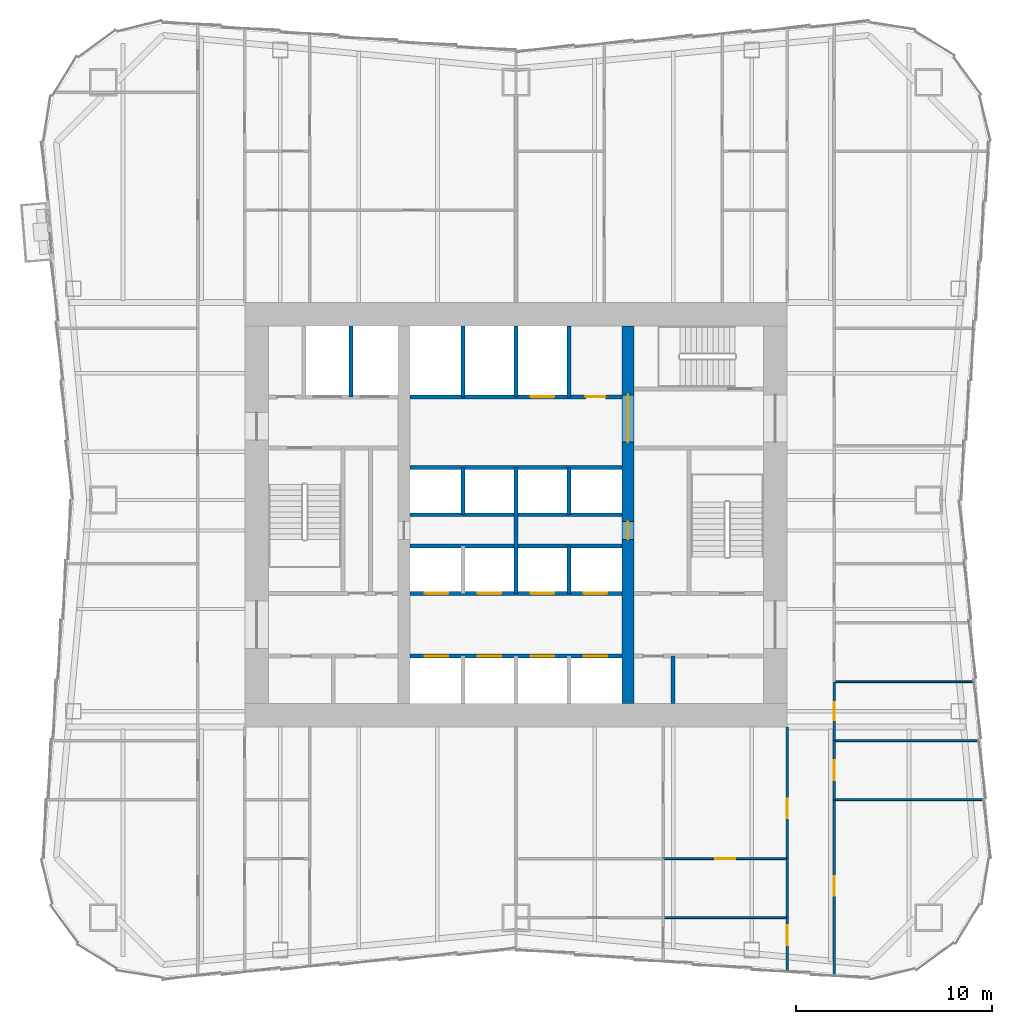
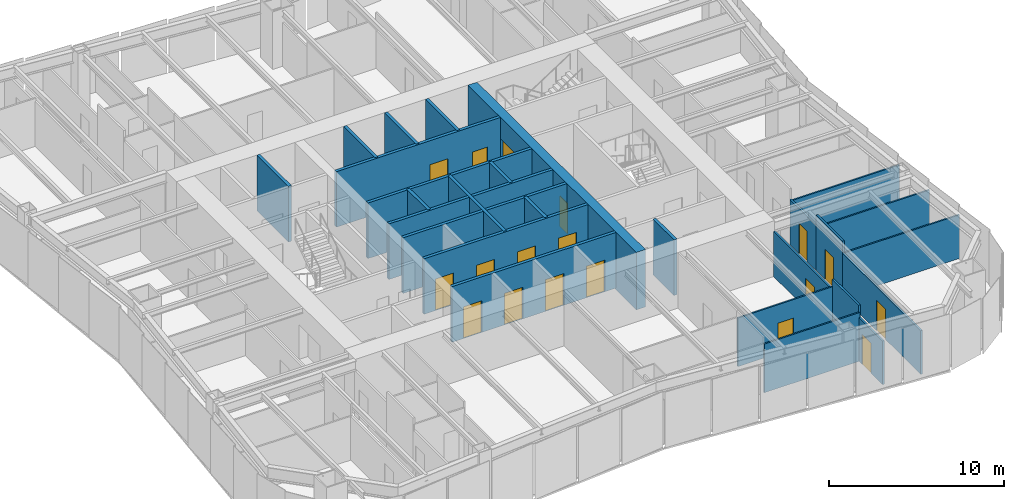
# One storey, part 5 of 9: 27 walls, 18 doors, 18 openings.
"""IFC4 building model written with IfcOpenShell, lengths in metres."""

from ifc_helpers import new_model, si_unit, direction, frame, frame_2d, origin, place, context, subcontext, project, spatial, rectangle, extrude, material, layer, layer_set, type_object, element, fill, save


model = new_model("IFC4")

# Units and contexts
model_context = context("Model", 3, precision=1e-05, world=origin(), true_north=direction((0.0, 1.0)))
body_context = subcontext(model_context, "Body", "Model", "MODEL_VIEW")
ifc_project = project(units=[si_unit("LENGTHUNIT", "METRE"), si_unit("AREAUNIT", "SQUARE_METRE"), si_unit("VOLUMEUNIT", "CUBIC_METRE"), si_unit("PLANEANGLEUNIT", "RADIAN"), si_unit("MASSUNIT", "GRAM", prefix="KILO")], contexts=[model_context])

# Site, building, storey
site_placement = place(None, origin())
site = spatial("IfcSite", under=ifc_project, at=site_placement, CompositionType="ELEMENT")
building_placement = place(site_placement, origin())
building = spatial("IfcBuilding", under=site, at=building_placement, Name="Verdant Reach Tower", CompositionType="ELEMENT")
storey_placement = place(building_placement, frame((0.0, 0.0, 90.0)))
storey = spatial("IfcBuildingStorey", under=building, at=storey_placement, Name="L20", CompositionType="ELEMENT", Elevation=90.0)

# Wall
ifc_material_1 = material(Name="Gypsum board on steel studs", Category="steel")
ifc_layer_1 = layer(ifc_material_1, 0.199951171875)
ifc_layer_set_1 = layer_set([ifc_layer_1], Name="CO-WALL-ROOM")
wall_type_1 = type_object("IfcWallType", Name="CO-WALL-ROOM", PredefinedType="PARTITIONING", material=ifc_layer_set_1)
wall_1_placement = place(storey_placement, frame((7.97998046875, 18.39990234375, 0.0), z_axis=(0.0, 0.0, 1.0), x_axis=(0.0, 1.0, 0.0)))
element("IfcWall", 1, at=wall_1_placement, inside=storey, type_object=wall_type_1, Name="Core partition, L20", PredefinedType="PARTITIONING", context=body_context, shape_type="SweptSolid", body=[
    extrude(rectangle(XDim=2.400146484375, YDim=0.199951171875, at=frame_2d((1.2001953125, 0.0))), origin(), (0.0, 0.0, 1.0), 3.8701171875),
])

# Wall, openings, doors
ifc_material_2 = material(Name="Concrete C40/50", Category="concrete")
ifc_layer_2 = layer(ifc_material_2, 0.199951171875)
ifc_layer_set_2 = layer_set([ifc_layer_2], Name="CO-WALL-SHAFT")
wall_type_2 = type_object("IfcWallType", Name="CO-WALL-SHAFT", PredefinedType="PARTITIONING", material=ifc_layer_set_2)
wall_2_placement = place(storey_placement, frame((-5.39990234375, 20.800048828125, 0.0), z_axis=(0.0, 0.0, 1.0), x_axis=(1.0, 0.0, 0.0)))
wall_2 = element("IfcWall", 2, at=wall_2_placement, inside=storey, type_object=wall_type_2, Name="Lift shaft wall, L20", PredefinedType="PARTITIONING", context=body_context, shape_type="SweptSolid", body=[
    extrude(rectangle(XDim=10.7998046875, YDim=0.199951171875, at=frame_2d((5.39990234375, 0.0))), origin(), (0.0, 0.0, 1.0), 3.8701171875),
])
opening_1_placement = place(wall_2_placement, frame((0.75, 0.0, 0.0)))
opening_1 = element("IfcOpeningElement", 3, at=opening_1_placement, cuts=wall_2, Name="Opening LD-A1", PredefinedType="OPENING", context=body_context, shape_type="SweptSolid", body=[
    extrude(rectangle(XDim=1.199951171875, YDim=2.199951171875, at=frame_2d((0.60009765625, 1.10009765625))), frame((0.0, 0.10986328125, 0.0), z_axis=(0.0, -1.0, 0.0), x_axis=(1.0, 0.0, 0.0)), (0.0, 0.0, 1.0), 0.219970703125),
])
opening_2_placement = place(wall_2_placement, frame((3.449951171875, 0.0, 0.0)))
opening_2 = element("IfcOpeningElement", 4, at=opening_2_placement, cuts=wall_2, Name="Opening LD-A2", PredefinedType="OPENING", context=body_context, shape_type="SweptSolid", body=[
    extrude(rectangle(XDim=1.199951171875, YDim=2.199951171875, at=frame_2d((0.60009765625, 1.10009765625))), frame((0.0, 0.10986328125, 0.0), z_axis=(0.0, -1.0, 0.0), x_axis=(1.0, 0.0, 0.0)), (0.0, 0.0, 1.0), 0.219970703125),
])
opening_3_placement = place(wall_2_placement, frame((6.14990234375, 0.0, 0.0)))
opening_3 = element("IfcOpeningElement", 5, at=opening_3_placement, cuts=wall_2, Name="Opening LD-A3", PredefinedType="OPENING", context=body_context, shape_type="SweptSolid", body=[
    extrude(rectangle(XDim=1.199951171875, YDim=2.199951171875, at=frame_2d((0.60009765625, 1.10009765625))), frame((0.0, 0.10986328125, 0.0), z_axis=(0.0, -1.0, 0.0), x_axis=(1.0, 0.0, 0.0)), (0.0, 0.0, 1.0), 0.219970703125),
])
opening_4_placement = place(wall_2_placement, frame((8.85009765625, 0.0, 0.0)))
opening_4 = element("IfcOpeningElement", 6, at=opening_4_placement, cuts=wall_2, Name="Opening LD-A4", PredefinedType="OPENING", context=body_context, shape_type="SweptSolid", body=[
    extrude(rectangle(XDim=1.199951171875, YDim=2.199951171875, at=frame_2d((0.60009765625, 1.10009765625))), frame((0.0, 0.10986328125, 0.0), z_axis=(0.0, -1.0, 0.0), x_axis=(1.0, 0.0, 0.0)), (0.0, 0.0, 1.0), 0.219970703125),
])
ifc_material_3 = material(Name="Stainless steel", Category="steel")
door_type_1 = type_object("IfcDoorType", Name="CO-DOOR-LANDING", OperationType="SLIDING_TO_LEFT", PredefinedType="DOOR", material=ifc_material_3)
door_1_placement = place(opening_1_placement, origin())
door_1 = element("IfcDoor", 7, at=door_1_placement, inside=storey, type_object=door_type_1, Name="Landing door A1, L20", OperationType="SLIDING_TO_LEFT", OverallHeight=2.199951171875, OverallWidth=1.199951171875, PredefinedType="DOOR", context=body_context, shape_type="SweptSolid", body=[
    extrude(rectangle(XDim=1.199951171875, YDim=2.199951171875, at=frame_2d((0.60009765625, 1.10009765625))), frame((0.0, 0.02490234375, 0.0), z_axis=(0.0, -1.0, 0.0), x_axis=(1.0, 0.0, 0.0)), (0.0, 0.0, 1.0), 0.050048828125),
])
fill(opening_1, door_1)
door_2_placement = place(opening_2_placement, origin())
door_2 = element("IfcDoor", 8, at=door_2_placement, inside=storey, type_object=door_type_1, Name="Landing door A2, L20", OperationType="SLIDING_TO_LEFT", OverallHeight=2.199951171875, OverallWidth=1.199951171875, PredefinedType="DOOR", context=body_context, shape_type="SweptSolid", body=[
    extrude(rectangle(XDim=1.199951171875, YDim=2.199951171875, at=frame_2d((0.60009765625, 1.10009765625))), frame((0.0, 0.02490234375, 0.0), z_axis=(0.0, -1.0, 0.0), x_axis=(1.0, 0.0, 0.0)), (0.0, 0.0, 1.0), 0.050048828125),
])
fill(opening_2, door_2)
door_3_placement = place(opening_3_placement, origin())
door_3 = element("IfcDoor", 9, at=door_3_placement, inside=storey, type_object=door_type_1, Name="Landing door A3, L20", OperationType="SLIDING_TO_LEFT", OverallHeight=2.199951171875, OverallWidth=1.199951171875, PredefinedType="DOOR", context=body_context, shape_type="SweptSolid", body=[
    extrude(rectangle(XDim=1.199951171875, YDim=2.199951171875, at=frame_2d((0.60009765625, 1.10009765625))), frame((0.0, 0.02490234375, 0.0), z_axis=(0.0, -1.0, 0.0), x_axis=(1.0, 0.0, 0.0)), (0.0, 0.0, 1.0), 0.050048828125),
])
fill(opening_3, door_3)
door_4_placement = place(opening_4_placement, origin())
door_4 = element("IfcDoor", 10, at=door_4_placement, inside=storey, type_object=door_type_1, Name="Landing door A4, L20", OperationType="SLIDING_TO_LEFT", OverallHeight=2.199951171875, OverallWidth=1.199951171875, PredefinedType="DOOR", context=body_context, shape_type="SweptSolid", body=[
    extrude(rectangle(XDim=1.199951171875, YDim=2.199951171875, at=frame_2d((0.60009765625, 1.10009765625))), frame((0.0, 0.02490234375, 0.0), z_axis=(0.0, -1.0, 0.0), x_axis=(1.0, 0.0, 0.0)), (0.0, 0.0, 1.0), 0.050048828125),
])
fill(opening_4, door_4)

wall_3_placement = place(storey_placement, frame((-5.39990234375, 24.0, 0.0), z_axis=(0.0, 0.0, 1.0), x_axis=(1.0, 0.0, 0.0)))
wall_3 = element("IfcWall", 11, at=wall_3_placement, inside=storey, type_object=wall_type_2, Name="Lift shaft wall, L20", PredefinedType="PARTITIONING", context=body_context, shape_type="SweptSolid", body=[
    extrude(rectangle(XDim=10.7998046875, YDim=0.199951171875, at=frame_2d((5.39990234375, 0.0))), origin(), (0.0, 0.0, 1.0), 3.8701171875),
])
opening_5_placement = place(wall_3_placement, frame((0.75, 0.0, 0.0)))
opening_5 = element("IfcOpeningElement", 12, at=opening_5_placement, cuts=wall_3, Name="Opening LD-A5", PredefinedType="OPENING", context=body_context, shape_type="SweptSolid", body=[
    extrude(rectangle(XDim=1.199951171875, YDim=2.199951171875, at=frame_2d((0.60009765625, 1.10009765625))), frame((0.0, 0.10986328125, 0.0), z_axis=(0.0, -1.0, 0.0), x_axis=(1.0, 0.0, 0.0)), (0.0, 0.0, 1.0), 0.219970703125),
])
opening_6_placement = place(wall_3_placement, frame((3.449951171875, 0.0, 0.0)))
opening_6 = element("IfcOpeningElement", 13, at=opening_6_placement, cuts=wall_3, Name="Opening LD-A6", PredefinedType="OPENING", context=body_context, shape_type="SweptSolid", body=[
    extrude(rectangle(XDim=1.199951171875, YDim=2.199951171875, at=frame_2d((0.60009765625, 1.10009765625))), frame((0.0, 0.10986328125, 0.0), z_axis=(0.0, -1.0, 0.0), x_axis=(1.0, 0.0, 0.0)), (0.0, 0.0, 1.0), 0.219970703125),
])
opening_7_placement = place(wall_3_placement, frame((6.14990234375, 0.0, 0.0)))
opening_7 = element("IfcOpeningElement", 14, at=opening_7_placement, cuts=wall_3, Name="Opening LD-A7", PredefinedType="OPENING", context=body_context, shape_type="SweptSolid", body=[
    extrude(rectangle(XDim=1.199951171875, YDim=2.199951171875, at=frame_2d((0.60009765625, 1.10009765625))), frame((0.0, 0.10986328125, 0.0), z_axis=(0.0, -1.0, 0.0), x_axis=(1.0, 0.0, 0.0)), (0.0, 0.0, 1.0), 0.219970703125),
])
opening_8_placement = place(wall_3_placement, frame((8.85009765625, 0.0, 0.0)))
opening_8 = element("IfcOpeningElement", 15, at=opening_8_placement, cuts=wall_3, Name="Opening LD-A8", PredefinedType="OPENING", context=body_context, shape_type="SweptSolid", body=[
    extrude(rectangle(XDim=1.199951171875, YDim=2.199951171875, at=frame_2d((0.60009765625, 1.10009765625))), frame((0.0, 0.10986328125, 0.0), z_axis=(0.0, -1.0, 0.0), x_axis=(1.0, 0.0, 0.0)), (0.0, 0.0, 1.0), 0.219970703125),
])
door_5_placement = place(opening_5_placement, origin())
door_5 = element("IfcDoor", 16, at=door_5_placement, inside=storey, type_object=door_type_1, Name="Landing door A5, L20", OperationType="SLIDING_TO_LEFT", OverallHeight=2.199951171875, OverallWidth=1.199951171875, PredefinedType="DOOR", context=body_context, shape_type="SweptSolid", body=[
    extrude(rectangle(XDim=1.199951171875, YDim=2.199951171875, at=frame_2d((0.60009765625, 1.10009765625))), frame((0.0, 0.02490234375, 0.0), z_axis=(0.0, -1.0, 0.0), x_axis=(1.0, 0.0, 0.0)), (0.0, 0.0, 1.0), 0.050048828125),
])
fill(opening_5, door_5)
door_6_placement = place(opening_6_placement, origin())
door_6 = element("IfcDoor", 17, at=door_6_placement, inside=storey, type_object=door_type_1, Name="Landing door A6, L20", OperationType="SLIDING_TO_LEFT", OverallHeight=2.199951171875, OverallWidth=1.199951171875, PredefinedType="DOOR", context=body_context, shape_type="SweptSolid", body=[
    extrude(rectangle(XDim=1.199951171875, YDim=2.199951171875, at=frame_2d((0.60009765625, 1.10009765625))), frame((0.0, 0.02490234375, 0.0), z_axis=(0.0, -1.0, 0.0), x_axis=(1.0, 0.0, 0.0)), (0.0, 0.0, 1.0), 0.050048828125),
])
fill(opening_6, door_6)
door_7_placement = place(opening_7_placement, origin())
door_7 = element("IfcDoor", 18, at=door_7_placement, inside=storey, type_object=door_type_1, Name="Landing door A7, L20", OperationType="SLIDING_TO_LEFT", OverallHeight=2.199951171875, OverallWidth=1.199951171875, PredefinedType="DOOR", context=body_context, shape_type="SweptSolid", body=[
    extrude(rectangle(XDim=1.199951171875, YDim=2.199951171875, at=frame_2d((0.60009765625, 1.10009765625))), frame((0.0, 0.02490234375, 0.0), z_axis=(0.0, -1.0, 0.0), x_axis=(1.0, 0.0, 0.0)), (0.0, 0.0, 1.0), 0.050048828125),
])
fill(opening_7, door_7)
door_8_placement = place(opening_8_placement, origin())
door_8 = element("IfcDoor", 19, at=door_8_placement, inside=storey, type_object=door_type_1, Name="Landing door A8, L20", OperationType="SLIDING_TO_LEFT", OverallHeight=2.199951171875, OverallWidth=1.199951171875, PredefinedType="DOOR", context=body_context, shape_type="SweptSolid", body=[
    extrude(rectangle(XDim=1.199951171875, YDim=2.199951171875, at=frame_2d((0.60009765625, 1.10009765625))), frame((0.0, 0.02490234375, 0.0), z_axis=(0.0, -1.0, 0.0), x_axis=(1.0, 0.0, 0.0)), (0.0, 0.0, 1.0), 0.050048828125),
])
fill(opening_8, door_8)

# Walls
for number, where, z_axis, x_axis, name in (
    (20, (-5.39990234375, 26.39990234375, 0.0), (0.0, 0.0, 1.0), (1.0, 0.0, 0.0), "Lift shaft wall, L20"),
    (21, (-5.39990234375, 28.0, 0.0), (0.0, 0.0, 1.0), (1.0, 0.0, 0.0), "Lift shaft wall, L20"),
    (22, (-5.39990234375, 30.39990234375, 0.0), (0.0, 0.0, 1.0), (1.0, 0.0, 0.0), "Lift shaft wall, L20"),
):
    element("IfcWall", number, at=place(storey_placement, frame(where, z_axis=z_axis, x_axis=x_axis)), inside=storey, type_object=wall_type_2, Name=name, PredefinedType="PARTITIONING", context=body_context, shape_type="SweptSolid", body=[
        extrude(rectangle(XDim=10.7998046875, YDim=0.199951171875, at=frame_2d((5.39990234375, 0.0))), origin(), (0.0, 0.0, 1.0), 3.8701171875),
    ])

# Wall, openings, doors
wall_4_placement = place(storey_placement, frame((-5.39990234375, 34.0, 0.0), z_axis=(0.0, 0.0, 1.0), x_axis=(1.0, 0.0, 0.0)))
wall_4 = element("IfcWall", 23, at=wall_4_placement, inside=storey, type_object=wall_type_2, Name="Lift shaft wall, L20", PredefinedType="PARTITIONING", context=body_context, shape_type="SweptSolid", body=[
    extrude(rectangle(XDim=10.7998046875, YDim=0.199951171875, at=frame_2d((5.39990234375, 0.0))), origin(), (0.0, 0.0, 1.0), 3.8701171875),
])
opening_9_placement = place(wall_4_placement, frame((6.14990234375, 0.0, 0.0)))
opening_9 = element("IfcOpeningElement", 24, at=opening_9_placement, cuts=wall_4, Name="Opening LD-SL1", PredefinedType="OPENING", context=body_context, shape_type="SweptSolid", body=[
    extrude(rectangle(XDim=1.199951171875, YDim=2.199951171875, at=frame_2d((0.60009765625, 1.10009765625))), frame((0.0, 0.10986328125, 0.0), z_axis=(0.0, -1.0, 0.0), x_axis=(1.0, 0.0, 0.0)), (0.0, 0.0, 1.0), 0.219970703125),
])
opening_10_placement = place(wall_4_placement, frame((8.949951171875, 0.0, 0.0)))
opening_10 = element("IfcOpeningElement", 25, at=opening_10_placement, cuts=wall_4, Name="Opening CD", PredefinedType="OPENING", context=body_context, shape_type="SweptSolid", body=[
    extrude(rectangle(XDim=1.0, YDim=2.10009765625, at=frame_2d((0.5, 1.050048828125))), frame((0.0, 0.10986328125, 0.0), z_axis=(0.0, -1.0, 0.0), x_axis=(1.0, 0.0, 0.0)), (0.0, 0.0, 1.0), 0.219970703125),
])
door_9_placement = place(opening_9_placement, origin())
door_9 = element("IfcDoor", 26, at=door_9_placement, inside=storey, type_object=door_type_1, Name="Landing door SL1, L20", OperationType="SLIDING_TO_LEFT", OverallHeight=2.199951171875, OverallWidth=1.199951171875, PredefinedType="DOOR", context=body_context, shape_type="SweptSolid", body=[
    extrude(rectangle(XDim=1.199951171875, YDim=2.199951171875, at=frame_2d((0.60009765625, 1.10009765625))), frame((0.0, 0.02490234375, 0.0), z_axis=(0.0, -1.0, 0.0), x_axis=(1.0, 0.0, 0.0)), (0.0, 0.0, 1.0), 0.050048828125),
])
fill(opening_9, door_9)
ifc_material_4 = material(Name="Timber", Category="wood")
door_type_2 = type_object("IfcDoorType", Name="CO-DOOR-ROOM", OperationType="NOTDEFINED", PredefinedType="DOOR", material=ifc_material_4)
door_10_placement = place(opening_10_placement, origin())
door_10 = element("IfcDoor", 27, at=door_10_placement, inside=storey, type_object=door_type_2, Name="Core room door, L20", OperationType="SINGLE_SWING_LEFT", OverallHeight=2.10009765625, OverallWidth=1.0, PredefinedType="DOOR", context=body_context, shape_type="SweptSolid", body=[
    extrude(rectangle(XDim=1.0, YDim=2.10009765625, at=frame_2d((0.5, 1.050048828125))), frame((0.0, 0.02490234375, 0.0), z_axis=(0.0, -1.0, 0.0), x_axis=(1.0, 0.0, 0.0)), (0.0, 0.0, 1.0), 0.050048828125),
])
fill(opening_10, door_10)

# Walls
wall_5_placement = place(storey_placement, frame((-8.39990234375, 34.0, 0.0), z_axis=(0.0, 0.0, 1.0), x_axis=(0.0, 1.0, 0.0)))
element("IfcWall", 28, at=wall_5_placement, inside=storey, type_object=wall_type_2, Name="Lift shaft wall, L20", PredefinedType="PARTITIONING", context=body_context, shape_type="SweptSolid", body=[
    extrude(rectangle(XDim=3.60009765625, YDim=0.199951171875, at=frame_2d((1.800048828125, 0.0))), origin(), (0.0, 0.0, 1.0), 3.8701171875),
])
wall_6_placement = place(storey_placement, frame((-2.699951171875, 28.0, 0.0), z_axis=(0.0, 0.0, 1.0), x_axis=(0.0, 1.0, 0.0)))
element("IfcWall", 29, at=wall_6_placement, inside=storey, type_object=wall_type_2, Name="Lift shaft wall, L20", PredefinedType="PARTITIONING", context=body_context, shape_type="SweptSolid", body=[
    extrude(rectangle(XDim=2.39990234375, YDim=0.199951171875, at=frame_2d((1.199951171875, 0.0))), origin(), (0.0, 0.0, 1.0), 3.8701171875),
])
wall_7_placement = place(storey_placement, frame((-2.699951171875, 34.0, 0.0), z_axis=(0.0, 0.0, 1.0), x_axis=(0.0, 1.0, 0.0)))
element("IfcWall", 30, at=wall_7_placement, inside=storey, type_object=wall_type_2, Name="Lift shaft wall, L20", PredefinedType="PARTITIONING", context=body_context, shape_type="SweptSolid", body=[
    extrude(rectangle(XDim=3.60009765625, YDim=0.199951171875, at=frame_2d((1.800048828125, 0.0))), origin(), (0.0, 0.0, 1.0), 3.8701171875),
])
wall_8_placement = place(storey_placement, frame((0.0, 24.0, 0.0), z_axis=(0.0, 0.0, 1.0), x_axis=(0.0, 1.0, 0.0)))
element("IfcWall", 31, at=wall_8_placement, inside=storey, type_object=wall_type_2, Name="Lift shaft wall, L20", PredefinedType="PARTITIONING", context=body_context, shape_type="SweptSolid", body=[
    extrude(rectangle(XDim=6.39990234375, YDim=0.199951171875, at=frame_2d((3.199951171875, 0.0))), origin(), (0.0, 0.0, 1.0), 3.8701171875),
])
wall_9_placement = place(storey_placement, frame((0.0, 34.0, 0.0), z_axis=(0.0, 0.0, 1.0), x_axis=(0.0, 1.0, 0.0)))
element("IfcWall", 32, at=wall_9_placement, inside=storey, type_object=wall_type_2, Name="Lift shaft wall, L20", PredefinedType="PARTITIONING", context=body_context, shape_type="SweptSolid", body=[
    extrude(rectangle(XDim=3.60009765625, YDim=0.199951171875, at=frame_2d((1.800048828125, 0.0))), origin(), (0.0, 0.0, 1.0), 3.8701171875),
])
for number, where, z_axis, x_axis, name in (
    (33, (2.699951171875, 24.0, 0.0), (0.0, 0.0, 1.0), (0.0, 1.0, 0.0), "Lift shaft wall, L20"),
    (34, (2.699951171875, 28.0, 0.0), (0.0, 0.0, 1.0), (0.0, 1.0, 0.0), "Lift shaft wall, L20"),
):
    element("IfcWall", number, at=place(storey_placement, frame(where, z_axis=z_axis, x_axis=x_axis)), inside=storey, type_object=wall_type_2, Name=name, PredefinedType="PARTITIONING", context=body_context, shape_type="SweptSolid", body=[
        extrude(rectangle(XDim=2.39990234375, YDim=0.199951171875, at=frame_2d((1.199951171875, 0.0))), origin(), (0.0, 0.0, 1.0), 3.8701171875),
    ])
wall_10_placement = place(storey_placement, frame((2.699951171875, 34.0, 0.0), z_axis=(0.0, 0.0, 1.0), x_axis=(0.0, 1.0, 0.0)))
element("IfcWall", 35, at=wall_10_placement, inside=storey, type_object=wall_type_2, Name="Lift shaft wall, L20", PredefinedType="PARTITIONING", context=body_context, shape_type="SweptSolid", body=[
    extrude(rectangle(XDim=3.60009765625, YDim=0.199951171875, at=frame_2d((1.800048828125, 0.0))), origin(), (0.0, 0.0, 1.0), 3.8701171875),
])
ifc_layer_3 = layer(ifc_material_1, 0.10009765625)
ifc_layer_set_3 = layer_set([ifc_layer_3], Name="FL-W1 Partition 100")
wall_type_3 = type_object("IfcWallType", Name="FL-W1 Partition 100", PredefinedType="PARTITIONING", material=ifc_layer_set_3)
wall_11_placement = place(storey_placement, frame((23.83349609375, 13.5, 0.0), z_axis=(0.0, 0.0, 1.0), x_axis=(-1.0, 0.0, 0.0)))
element("IfcWall", 36, at=wall_11_placement, inside=storey, type_object=wall_type_3, Name="Partition 20.33", PredefinedType="PARTITIONING", context=body_context, shape_type="SweptSolid", body=[
    extrude(rectangle(XDim=7.633544921875, YDim=0.10009765625, at=frame_2d((3.81689453125, 0.0))), origin(), (0.0, 0.0, 1.0), 3.0400390625),
])
wall_12_placement = place(storey_placement, frame((23.5869140625, 16.5, 0.0), z_axis=(0.0, 0.0, 1.0), x_axis=(-1.0, 0.0, 0.0)))
element("IfcWall", 37, at=wall_12_placement, inside=storey, type_object=wall_type_3, Name="Partition 20.34", PredefinedType="PARTITIONING", context=body_context, shape_type="SweptSolid", body=[
    extrude(rectangle(XDim=7.386962890625, YDim=0.10009765625, at=frame_2d((3.693359375, 0.0))), origin(), (0.0, 0.0, 1.0), 3.0400390625),
])
wall_13_placement = place(storey_placement, frame((23.34033203125, 19.5, 0.0), z_axis=(0.0, 0.0, 1.0), x_axis=(-1.0, 0.0, 0.0)))
element("IfcWall", 38, at=wall_13_placement, inside=storey, type_object=wall_type_3, Name="Partition 20.35", PredefinedType="PARTITIONING", context=body_context, shape_type="SweptSolid", body=[
    extrude(rectangle(XDim=7.140380859375, YDim=0.10009765625, at=frame_2d((3.5703125, 0.0))), origin(), (0.0, 0.0, 1.0), 3.0400390625),
])
wall_14_placement = place(storey_placement, frame((13.800048828125, 7.5, 0.0), z_axis=(0.0, 0.0, 1.0), x_axis=(-1.0, 0.0, 0.0)))
element("IfcWall", 39, at=wall_14_placement, inside=storey, type_object=wall_type_3, Name="Partition 20.49", PredefinedType="PARTITIONING", context=body_context, shape_type="SweptSolid", body=[
    extrude(rectangle(XDim=6.300048828125, YDim=0.10009765625, at=frame_2d((3.14990234375, 0.0))), origin(), (0.0, 0.0, 1.0), 3.389892578125),
])

# Wall, opening, door
wall_15_placement = place(storey_placement, frame((13.800048828125, 10.5, 0.0), z_axis=(0.0, 0.0, 1.0), x_axis=(-1.0, 0.0, 0.0)))
wall_15 = element("IfcWall", 40, at=wall_15_placement, inside=storey, type_object=wall_type_3, Name="Partition 20.51", PredefinedType="PARTITIONING", context=body_context, shape_type="SweptSolid", body=[
    extrude(rectangle(XDim=6.300048828125, YDim=0.10009765625, at=frame_2d((3.14990234375, 0.0))), origin(), (0.0, 0.0, 1.0), 3.389892578125),
])
opening_11_placement = place(wall_15_placement, frame((2.64990234375, 0.0, 0.0)))
opening_11 = element("IfcOpeningElement", 41, at=opening_11_placement, cuts=wall_15, Name="Opening D3", PredefinedType="OPENING", context=body_context, shape_type="SweptSolid", body=[
    extrude(rectangle(XDim=1.0, YDim=2.10009765625, at=frame_2d((0.5, 1.050048828125))), frame((0.0, 0.06005859375, 0.0), z_axis=(0.0, -1.0, 0.0), x_axis=(1.0, 0.0, 0.0)), (0.0, 0.0, 1.0), 0.1201171875),
])
ifc_material_5 = material(Name="Painted timber door leaf", Category="wood")
door_type_3 = type_object("IfcDoorType", Name="FL-D3 Door 1000x2100", OperationType="NOTDEFINED", PredefinedType="DOOR", material=ifc_material_5)
door_11_placement = place(opening_11_placement, origin())
door_11 = element("IfcDoor", 42, at=door_11_placement, inside=storey, type_object=door_type_3, Name="Door 20-026", OperationType="SINGLE_SWING_RIGHT", OverallHeight=2.10009765625, OverallWidth=1.0, PredefinedType="DOOR", context=body_context, shape_type="SweptSolid", body=[
    extrude(rectangle(XDim=1.0, YDim=2.10009765625, at=frame_2d((0.5, 1.050048828125))), frame((0.0, 0.02490234375, 0.0), z_axis=(0.0, -1.0, 0.0), x_axis=(1.0, 0.0, 0.0)), (0.0, 0.0, 1.0), 0.050048828125),
])
fill(opening_11, door_11)

ifc_material_6 = material(Name="Gypsum board on steel studs, fire rated", Category="steel")
ifc_layer_4 = layer(ifc_material_6, 0.125)
ifc_layer_set_4 = layer_set([ifc_layer_4], Name="FL-W2 Corridor wall 125")
wall_type_4 = type_object("IfcWallType", Name="FL-W2 Corridor wall 125", PredefinedType="PARTITIONING", material=ifc_layer_set_4)
wall_16_placement = place(storey_placement, frame((16.199951171875, 13.5, 0.0), z_axis=(0.0, 0.0, 1.0), x_axis=(0.0, -1.0, 0.0)))
wall_16 = element("IfcWall", 43, at=wall_16_placement, inside=storey, type_object=wall_type_4, Name="Partition 20.13", PredefinedType="PARTITIONING", context=body_context, shape_type="SweptSolid", body=[
    extrude(rectangle(XDim=8.929931640625, YDim=0.125, at=frame_2d((4.46484375, 0.0))), origin(), (0.0, 0.0, 1.0), 3.0400390625),
])
opening_12_placement = place(wall_16_placement, frame((3.89990234375, 0.0, 0.0)))
opening_12 = element("IfcOpeningElement", 44, at=opening_12_placement, cuts=wall_16, Name="Opening D2", PredefinedType="OPENING", context=body_context, shape_type="SweptSolid", body=[
    extrude(rectangle(XDim=1.0, YDim=2.10009765625, at=frame_2d((0.5, 1.050048828125))), frame((0.0, 0.072509765625, 0.0), z_axis=(0.0, -1.0, 0.0), x_axis=(1.0, 0.0, 0.0)), (0.0, 0.0, 1.0), 0.14501953125),
])
ifc_material_7 = material(Name="Timber door leaf, fire rated", Category="wood")
door_type_4 = type_object("IfcDoorType", Name="FL-D2 Entrance door 1000x2100 FD30", OperationType="NOTDEFINED", PredefinedType="DOOR", material=ifc_material_7)
door_12_placement = place(opening_12_placement, origin())
door_12 = element("IfcDoor", 45, at=door_12_placement, inside=storey, type_object=door_type_4, Name="Door 20-010", OperationType="SINGLE_SWING_LEFT", OverallHeight=2.10009765625, OverallWidth=1.0, PredefinedType="DOOR", context=body_context, shape_type="SweptSolid", body=[
    extrude(rectangle(XDim=1.0, YDim=2.10009765625, at=frame_2d((0.5, 1.050048828125))), frame((0.0, 0.02490234375, 0.0), z_axis=(0.0, -1.0, 0.0), x_axis=(1.0, 0.0, 0.0)), (0.0, 0.0, 1.0), 0.050048828125),
])
fill(opening_12, door_12)

wall_17_placement = place(storey_placement, frame((16.199951171875, 16.5, 0.0), z_axis=(0.0, 0.0, 1.0), x_axis=(0.0, -1.0, 0.0)))
wall_17 = element("IfcWall", 46, at=wall_17_placement, inside=storey, type_object=wall_type_4, Name="Partition 20.14", PredefinedType="PARTITIONING", context=body_context, shape_type="SweptSolid", body=[
    extrude(rectangle(XDim=3.0, YDim=0.125, at=frame_2d((1.5, 0.0))), origin(), (0.0, 0.0, 1.0), 3.8701171875),
])
opening_13_placement = place(wall_17_placement, frame((1.0, 0.0, 0.0)))
opening_13 = element("IfcOpeningElement", 47, at=opening_13_placement, cuts=wall_17, Name="Opening D2", PredefinedType="OPENING", context=body_context, shape_type="SweptSolid", body=[
    extrude(rectangle(XDim=1.0, YDim=2.10009765625, at=frame_2d((0.5, 1.050048828125))), frame((0.0, 0.072509765625, 0.0), z_axis=(0.0, -1.0, 0.0), x_axis=(1.0, 0.0, 0.0)), (0.0, 0.0, 1.0), 0.14501953125),
])
door_13_placement = place(opening_13_placement, origin())
door_13 = element("IfcDoor", 48, at=door_13_placement, inside=storey, type_object=door_type_4, Name="Door 20-011", OperationType="SINGLE_SWING_LEFT", OverallHeight=2.10009765625, OverallWidth=1.0, PredefinedType="DOOR", context=body_context, shape_type="SweptSolid", body=[
    extrude(rectangle(XDim=1.0, YDim=2.10009765625, at=frame_2d((0.5, 1.050048828125))), frame((0.0, 0.02490234375, 0.0), z_axis=(0.0, -1.0, 0.0), x_axis=(1.0, 0.0, 0.0)), (0.0, 0.0, 1.0), 0.050048828125),
])
fill(opening_13, door_13)

wall_18_placement = place(storey_placement, frame((16.199951171875, 19.5, 0.0), z_axis=(0.0, 0.0, 1.0), x_axis=(0.0, -1.0, 0.0)))
wall_18 = element("IfcWall", 49, at=wall_18_placement, inside=storey, type_object=wall_type_4, Name="Partition 20.15", PredefinedType="PARTITIONING", context=body_context, shape_type="SweptSolid", body=[
    extrude(rectangle(XDim=3.0, YDim=0.125, at=frame_2d((1.5, 0.0))), origin(), (0.0, 0.0, 1.0), 3.139892578125),
])
opening_14_placement = place(wall_18_placement, frame((1.050048828125, 0.0, 0.0)))
opening_14 = element("IfcOpeningElement", 50, at=opening_14_placement, cuts=wall_18, Name="Opening D1", PredefinedType="OPENING", context=body_context, shape_type="SweptSolid", body=[
    extrude(rectangle(XDim=0.89990234375, YDim=2.10009765625, at=frame_2d((0.449951171875, 1.050048828125))), frame((0.0, 0.072509765625, 0.0), z_axis=(0.0, -1.0, 0.0), x_axis=(1.0, 0.0, 0.0)), (0.0, 0.0, 1.0), 0.14501953125),
])
door_type_5 = type_object("IfcDoorType", Name="FL-D1 Door 900x2100", OperationType="NOTDEFINED", PredefinedType="DOOR", material=ifc_material_5)
door_14_placement = place(opening_14_placement, origin())
door_14 = element("IfcDoor", 51, at=door_14_placement, inside=storey, type_object=door_type_5, Name="Door 20-012", OperationType="SINGLE_SWING_RIGHT", OverallHeight=2.10009765625, OverallWidth=0.89990234375, PredefinedType="DOOR", context=body_context, shape_type="SweptSolid", body=[
    extrude(rectangle(XDim=0.89990234375, YDim=2.10009765625, at=frame_2d((0.449951171875, 1.050048828125))), frame((0.0, 0.02490234375, 0.0), z_axis=(0.0, -1.0, 0.0), x_axis=(1.0, 0.0, 0.0)), (0.0, 0.0, 1.0), 0.050048828125),
])
fill(opening_14, door_14)

wall_19_placement = place(storey_placement, frame((13.800048828125, 4.77001953125, 0.0), z_axis=(0.0, 0.0, 1.0), x_axis=(0.0, 1.0, 0.0)))
wall_19 = element("IfcWall", 52, at=wall_19_placement, inside=storey, type_object=wall_type_4, Name="Partition 20.22", PredefinedType="PARTITIONING", context=body_context, shape_type="SweptSolid", body=[
    extrude(rectangle(XDim=2.72998046875, YDim=0.125, at=frame_2d((1.364990234375, 0.0))), origin(), (0.0, 0.0, 1.0), 3.0400390625),
])
opening_15_placement = place(wall_19_placement, frame((1.330078125, 0.0, 0.0)))
opening_15 = element("IfcOpeningElement", 53, at=opening_15_placement, cuts=wall_19, Name="Opening D2", PredefinedType="OPENING", context=body_context, shape_type="SweptSolid", body=[
    extrude(rectangle(XDim=1.0, YDim=2.10009765625, at=frame_2d((0.5, 1.050048828125))), frame((0.0, 0.072509765625, 0.0), z_axis=(0.0, -1.0, 0.0), x_axis=(1.0, 0.0, 0.0)), (0.0, 0.0, 1.0), 0.14501953125),
])
door_15_placement = place(opening_15_placement, origin())
door_15 = element("IfcDoor", 54, at=door_15_placement, inside=storey, type_object=door_type_4, Name="Door 20-019", OperationType="SINGLE_SWING_RIGHT", OverallHeight=2.10009765625, OverallWidth=1.0, PredefinedType="DOOR", context=body_context, shape_type="SweptSolid", body=[
    extrude(rectangle(XDim=1.0, YDim=2.10009765625, at=frame_2d((0.5, 1.050048828125))), frame((0.0, 0.02490234375, 0.0), z_axis=(0.0, -1.0, 0.0), x_axis=(1.0, 0.0, 0.0)), (0.0, 0.0, 1.0), 0.050048828125),
])
fill(opening_15, door_15)

# Wall
wall_20_placement = place(storey_placement, frame((13.800048828125, 10.5, 0.0), z_axis=(0.0, 0.0, 1.0), x_axis=(0.0, -1.0, 0.0)))
element("IfcWall", 55, at=wall_20_placement, inside=storey, type_object=wall_type_4, Name="Partition 20.23", PredefinedType="PARTITIONING", context=body_context, shape_type="SweptSolid", body=[
    extrude(rectangle(XDim=3.0, YDim=0.125, at=frame_2d((1.5, 0.0))), origin(), (0.0, 0.0, 1.0), 3.8701171875),
])

# Wall, opening, door
wall_21_placement = place(storey_placement, frame((13.800048828125, 10.5, 0.0), z_axis=(0.0, 0.0, 1.0), x_axis=(0.0, 1.0, 0.0)))
wall_21 = element("IfcWall", 56, at=wall_21_placement, inside=storey, type_object=wall_type_4, Name="Partition 20.24", PredefinedType="PARTITIONING", context=body_context, shape_type="SweptSolid", body=[
    extrude(rectangle(XDim=6.699951171875, YDim=0.125, at=frame_2d((3.35009765625, 0.0))), origin(), (0.0, 0.0, 1.0), 3.139892578125),
])
opening_16_placement = place(wall_21_placement, frame((2.050048828125, 0.0, 0.0)))
opening_16 = element("IfcOpeningElement", 57, at=opening_16_placement, cuts=wall_21, Name="Opening D2", PredefinedType="OPENING", context=body_context, shape_type="SweptSolid", body=[
    extrude(rectangle(XDim=1.0, YDim=2.10009765625, at=frame_2d((0.5, 1.050048828125))), frame((0.0, 0.072509765625, 0.0), z_axis=(0.0, -1.0, 0.0), x_axis=(1.0, 0.0, 0.0)), (0.0, 0.0, 1.0), 0.14501953125),
])
door_16_placement = place(opening_16_placement, origin())
door_16 = element("IfcDoor", 58, at=door_16_placement, inside=storey, type_object=door_type_4, Name="Door 20-020", OperationType="SINGLE_SWING_LEFT", OverallHeight=2.10009765625, OverallWidth=1.0, PredefinedType="DOOR", context=body_context, shape_type="SweptSolid", body=[
    extrude(rectangle(XDim=1.0, YDim=2.10009765625, at=frame_2d((0.5, 1.050048828125))), frame((0.0, 0.02490234375, 0.0), z_axis=(0.0, -1.0, 0.0), x_axis=(1.0, 0.0, 0.0)), (0.0, 0.0, 1.0), 0.050048828125),
])
fill(opening_16, door_16)

# Wall, openings, doors
ifc_material_8 = material(Name="Concrete C70/85", Category="concrete")
ifc_layer_5 = layer(ifc_material_8, 0.60009765625)
ifc_layer_set_5 = layer_set([ifc_layer_5], Name="ST-CORE-WALL-600")
wall_type_5 = type_object("IfcWallType", Name="ST-CORE-WALL-600", PredefinedType="SHEAR", material=ifc_layer_set_5)
wall_22_placement = place(storey_placement, frame((5.699951171875, 18.39990234375, -0.1298828125), z_axis=(0.0, 0.0, 1.0), x_axis=(0.0, 1.0, 0.0)))
wall_22 = element("IfcWall", 59, at=wall_22_placement, inside=storey, type_object=wall_type_5, Name="Core wall XE, L20", PredefinedType="SHEAR", context=body_context, shape_type="SweptSolid", body=[
    extrude(rectangle(XDim=19.2001953125, YDim=0.60009765625, at=frame_2d((9.60009765625, 0.0))), origin(), (0.0, 0.0, 1.0), 4.0),
])
opening_17_placement = place(wall_22_placement, frame((8.35009765625, 0.0, 0.1298828125)))
opening_17 = element("IfcOpeningElement", 60, at=opening_17_placement, cuts=wall_22, Name="Opening RD", PredefinedType="OPENING", context=body_context, shape_type="SweptSolid", body=[
    extrude(rectangle(XDim=0.89990234375, YDim=2.10009765625, at=frame_2d((0.449951171875, 1.050048828125))), frame((0.0, 0.31005859375, 0.0), z_axis=(0.0, -1.0, 0.0), x_axis=(1.0, 0.0, 0.0)), (0.0, 0.0, 1.0), 0.6201171875),
])
opening_18_placement = place(wall_22_placement, frame((13.300048828125, 0.0, 0.1298828125)))
opening_18 = element("IfcOpeningElement", 61, at=opening_18_placement, cuts=wall_22, Name="Opening LB", PredefinedType="OPENING", context=body_context, shape_type="SweptSolid", body=[
    extrude(rectangle(XDim=2.39990234375, YDim=2.39990234375, at=frame_2d((1.199951171875, 1.199951171875))), frame((0.0, 0.31005859375, 0.0), z_axis=(0.0, -1.0, 0.0), x_axis=(1.0, 0.0, 0.0)), (0.0, 0.0, 1.0), 0.6201171875),
])
ifc_material_9 = material(Name="Glass and steel", Category="steel")
door_type_6 = type_object("IfcDoorType", Name="CO-DOOR-LOBBY", OperationType="DOUBLE_DOOR_SINGLE_SWING", PredefinedType="DOOR", material=ifc_material_9)
door_17_placement = place(opening_18_placement, origin())
door_17 = element("IfcDoor", 62, at=door_17_placement, inside=storey, type_object=door_type_6, Name="Core entrance door, L20", OperationType="DOUBLE_DOOR_SINGLE_SWING", OverallHeight=2.39990234375, OverallWidth=2.39990234375, PredefinedType="DOOR", context=body_context, shape_type="SweptSolid", body=[
    extrude(rectangle(XDim=2.39990234375, YDim=2.39990234375, at=frame_2d((1.199951171875, 1.199951171875))), frame((0.0, 0.02490234375, 0.0), z_axis=(0.0, -1.0, 0.0), x_axis=(1.0, 0.0, 0.0)), (0.0, 0.0, 1.0), 0.050048828125),
])
fill(opening_18, door_17)
ifc_material_10 = material(Name="Steel", Category="steel")
door_type_7 = type_object("IfcDoorType", Name="CO-DOOR-RISER", OperationType="NOTDEFINED", PredefinedType="DOOR", material=ifc_material_10)
door_18_placement = place(opening_17_placement, origin())
door_18 = element("IfcDoor", 63, at=door_18_placement, inside=storey, type_object=door_type_7, Name="Riser door, L20", OperationType="SINGLE_SWING_RIGHT", OverallHeight=2.10009765625, OverallWidth=0.89990234375, PredefinedType="DOOR", context=body_context, shape_type="SweptSolid", body=[
    extrude(rectangle(XDim=0.89990234375, YDim=2.10009765625, at=frame_2d((0.449951171875, 1.050048828125))), frame((0.0, 0.02490234375, 0.0), z_axis=(0.0, -1.0, 0.0), x_axis=(1.0, 0.0, 0.0)), (0.0, 0.0, 1.0), 0.050048828125),
])
fill(opening_17, door_18)

save(model, "model.ifc")
